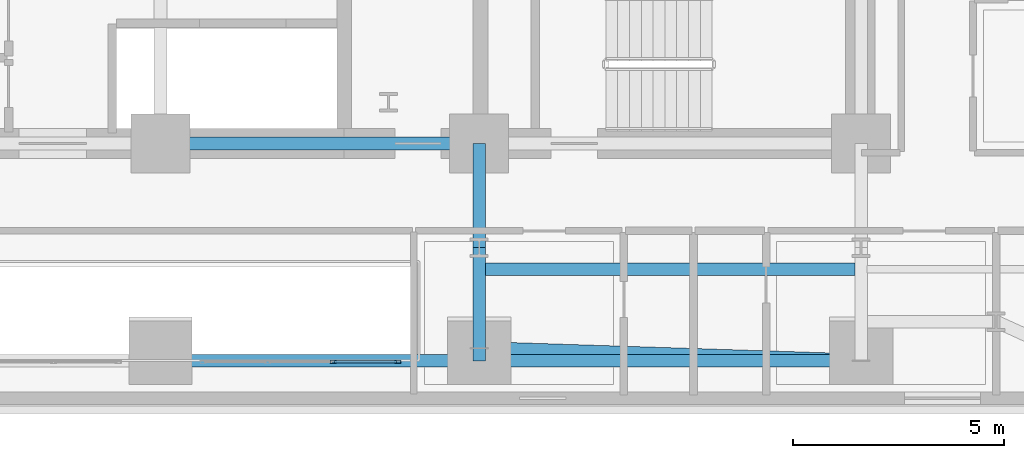
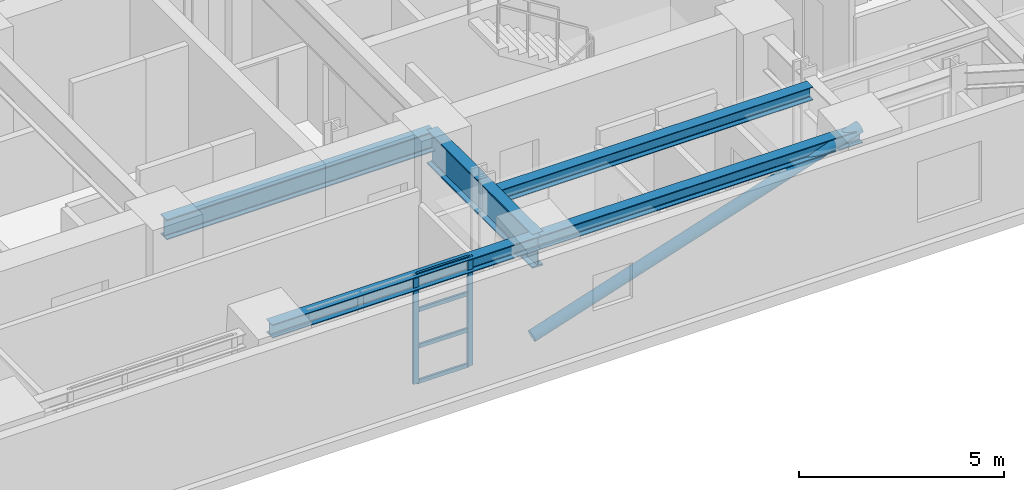
# One storey, part 4 of 15: 7 members, 6 beams, 1 element without a shape of its own.
"""IFC4 building model written with IfcOpenShell, lengths in metres."""

from ifc_helpers import new_model, si_unit, direction, frame, origin, origin_2d, place, context, subcontext, project, spatial, hollow_rectangle, hollow_circle, i_section, extrude, material, layer, layer_set, material_profile, profile_set, type_object, element, aggregate, save


model = new_model("IFC4")

# Units and contexts
model_context = context("Model", 3, precision=1e-05, world=origin(), true_north=direction((0.0, 1.0)))
body_context = subcontext(model_context, "Body", "Model", "MODEL_VIEW")
ifc_project = project(units=[si_unit("LENGTHUNIT", "METRE"), si_unit("AREAUNIT", "SQUARE_METRE"), si_unit("VOLUMEUNIT", "CUBIC_METRE"), si_unit("PLANEANGLEUNIT", "RADIAN"), si_unit("MASSUNIT", "GRAM", prefix="KILO")], contexts=[model_context])

# Site, building, storey
site_placement = place(None, origin())
site = spatial("IfcSite", under=ifc_project, at=site_placement, CompositionType="ELEMENT")
building_placement = place(site_placement, origin())
building = spatial("IfcBuilding", under=site, at=building_placement, Name="Zarnavel Station Tower", CompositionType="ELEMENT")
storey_placement = place(building_placement, frame((0.0, 0.0, 36.0)))
storey = spatial("IfcBuildingStorey", under=building, at=storey_placement, Name="L09", CompositionType="ELEMENT", Elevation=36.0)

# Curtain wall, members
ifc_material_1 = material(Name="Aluminium Dark Anodised and Solar-Control Glass", Category="aluminium")
ifc_layer = layer(ifc_material_1, 0.179931640625)
ifc_layer_set = layer_set([ifc_layer], Name="CWS2")
curtain_wall_type = type_object("IfcCurtainWallType", Name="CWS2", PredefinedType="NOTDEFINED", material=ifc_layer_set)
curtain_wall_placement = place(storey_placement, origin())
curtain_wall = element("IfcCurtainWall", 1, at=curtain_wall_placement, inside=storey, type_object=curtain_wall_type, Name="L09 Curtain Wall CWS2-L09-AS-S2", PredefinedType="NOTDEFINED")
ifc_material_2 = material(Name="Steel S355J2 (Black Fluoropolymer Coated)", Category="steel")
ifc_material_profile_1 = material_profile(ifc_material_2, hollow_rectangle(XDim=0.074951171875, YDim=0.14990234375, WallThickness=0.00634765625, at=origin_2d()), Name="RHS150x75x6.3")
ifc_profile_set_1 = profile_set([ifc_material_profile_1], Name="Steel S355J2 (Black Fluoropolymer Coated)")
member_type_1 = type_object("IfcMemberType", Name="CWS2_MUL", PredefinedType="MULLION", material=ifc_profile_set_1)
member_1_placement = place(storey_placement, frame((32.893310546875, 22.64990234375, 0.0), z_axis=(0.0, 0.0, 1.0), x_axis=(0.0, 1.0, 0.0)))
member_1 = element("IfcMember", 2, at=member_1_placement, type_object=member_type_1, Name="CW2 mullion 3", PredefinedType="MULLION", context=body_context, shape_type="SweptSolid", body=[
    extrude(hollow_rectangle(XDim=0.074951171875, YDim=0.14990234375, WallThickness=0.00634765625, at=origin_2d()), origin(), (0.0, 0.0, 1.0), 3.239990234375),
])
member_2_placement = place(storey_placement, frame((34.419921875, 22.64990234375, 0.0), z_axis=(0.0, 0.0, 1.0), x_axis=(0.0, 1.0, 0.0)))
member_2 = element("IfcMember", 3, at=member_2_placement, type_object=member_type_1, Name="CW2 mullion 4", PredefinedType="MULLION", context=body_context, shape_type="SweptSolid", body=[
    extrude(hollow_rectangle(XDim=0.074951171875, YDim=0.14990234375, WallThickness=0.00634765625, at=origin_2d()), origin(), (0.0, 0.0, 1.0), 3.239990234375),
])
ifc_material_3 = material(Name="Steel S355J2 (Black Fluoropolymer Coated)", Category="steel")
ifc_material_profile_2 = material_profile(ifc_material_3, hollow_rectangle(XDim=0.06005859375, YDim=0.1201171875, WallThickness=0.0048828125, at=origin_2d()), Name="RHS120x60x5")
ifc_profile_set_2 = profile_set([ifc_material_profile_2], Name="Steel S355J2 (Black Fluoropolymer Coated)")
member_type_2 = type_object("IfcMemberType", Name="CWS2_TRN", PredefinedType="USERDEFINED", material=ifc_profile_set_2)
member_3_placement = place(storey_placement, frame((32.92333984375, 22.64990234375, 0.030029296875), z_axis=(1.0, 0.0, 0.0), x_axis=(0.0, 1.0, 0.0)))
member_3 = element("IfcMember", 4, at=member_3_placement, type_object=member_type_2, Name="CW2 transom 3.1", ObjectType="TRANSOM", PredefinedType="USERDEFINED", context=body_context, shape_type="SweptSolid", body=[
    extrude(hollow_rectangle(XDim=0.06005859375, YDim=0.1201171875, WallThickness=0.0048828125, at=origin_2d()), origin(), (0.0, 0.0, 1.0), 1.466552734375),
])
member_4_placement = place(storey_placement, frame((32.92333984375, 22.64990234375, 1.080078125), z_axis=(1.0, 0.0, 0.0), x_axis=(0.0, 1.0, 0.0)))
member_4 = element("IfcMember", 5, at=member_4_placement, type_object=member_type_2, Name="CW2 transom 3.2", ObjectType="TRANSOM", PredefinedType="USERDEFINED", context=body_context, shape_type="SweptSolid", body=[
    extrude(hollow_rectangle(XDim=0.06005859375, YDim=0.1201171875, WallThickness=0.0048828125, at=origin_2d()), origin(), (0.0, 0.0, 1.0), 1.466552734375),
])
member_5_placement = place(storey_placement, frame((32.92333984375, 22.64990234375, 2.159912109375), z_axis=(1.0, 0.0, 0.0), x_axis=(0.0, 1.0, 0.0)))
member_5 = element("IfcMember", 6, at=member_5_placement, type_object=member_type_2, Name="CW2 transom 3.3", ObjectType="TRANSOM", PredefinedType="USERDEFINED", context=body_context, shape_type="SweptSolid", body=[
    extrude(hollow_rectangle(XDim=0.06005859375, YDim=0.1201171875, WallThickness=0.0048828125, at=origin_2d()), origin(), (0.0, 0.0, 1.0), 1.466552734375),
])
member_6_placement = place(storey_placement, frame((32.92333984375, 22.64990234375, 3.2099609375), z_axis=(1.0, 0.0, 0.0), x_axis=(0.0, 1.0, 0.0)))
member_6 = element("IfcMember", 7, at=member_6_placement, type_object=member_type_2, Name="CW2 transom 3.4", ObjectType="TRANSOM", PredefinedType="USERDEFINED", context=body_context, shape_type="SweptSolid", body=[
    extrude(hollow_rectangle(XDim=0.06005859375, YDim=0.1201171875, WallThickness=0.0048828125, at=origin_2d()), origin(), (0.0, 0.0, 1.0), 1.466552734375),
])
aggregate(curtain_wall, [member_1, member_2, member_3, member_4, member_5, member_6])

# Member
ifc_material_4 = material(Name="Steel S355J2", Category="steel")
ifc_material_profile_3 = material_profile(ifc_material_4, hollow_circle(Radius=0.161865234375, WallThickness=0.012451171875, at=origin_2d()), Name="CHS323.9x12.5")
ifc_profile_set_3 = profile_set([ifc_material_profile_3], Name="Steel S355J2")
member_type_3 = type_object("IfcMemberType", Name="DB_EXT_CHS324", PredefinedType="BRACE", material=ifc_profile_set_3)
member_7_placement = place(storey_placement, frame((36.35009765625, 22.9658203125, 0.0), z_axis=(0.94104157458, -0.030540439576, 0.336909537505), x_axis=(0.032436790978, 0.999473788846, 0.0)))
element("IfcMember", 8, at=member_7_placement, inside=storey, type_object=member_type_3, Name="L09 Persian Exterior Diagonal Frame Brace 2", PredefinedType="BRACE", context=body_context, shape_type="SweptSolid", body=[
    extrude(hollow_circle(Radius=0.161865234375, WallThickness=0.012451171875, at=origin_2d()), origin(), (0.0, 0.0, 1.0), 9.61669921875),
])

# Beams
ifc_material_5 = material(Name="Steel S355J2", Category="steel")
ifc_material_profile_4 = material_profile(ifc_material_5, i_section(OverallWidth=0.300048828125, OverallDepth=0.39990234375, WebThickness=0.013427734375, FlangeThickness=0.02392578125, FilletRadius=0.027099609375, at=origin_2d()), Name="HEB400")
ifc_profile_set_4 = profile_set([ifc_material_profile_4], Name="Steel S355J2")
beam_type_1 = type_object("IfcBeamType", Name="EB_HEB400", PredefinedType="SPANDREL", material=ifc_profile_set_4)
beam_1_placement = place(storey_placement, frame((28.800048828125, 22.672119140625, 3.0400390625), z_axis=(1.0, 0.0, 0.0), x_axis=(0.0, 1.0, 0.0)))
element("IfcBeam", 9, at=beam_1_placement, inside=storey, type_object=beam_type_1, Name="L09 South Raked Spandrel 3", PredefinedType="SPANDREL", context=body_context, shape_type="SweptSolid", body=[
    extrude(i_section(OverallWidth=0.300048828125, OverallDepth=0.39990234375, WebThickness=0.013427734375, FlangeThickness=0.02392578125, FilletRadius=0.027099609375, at=origin_2d()), origin(), (0.0, 0.0, 1.0), 7.550048828125),
])
beam_2_placement = place(storey_placement, frame((36.35009765625, 22.672119140625, 3.0400390625), z_axis=(1.0, 0.0, 0.0), x_axis=(0.0, 1.0, 0.0)))
element("IfcBeam", 10, at=beam_2_placement, inside=storey, type_object=beam_type_1, Name="L09 South Raked Spandrel 4", PredefinedType="SPANDREL", context=body_context, shape_type="SweptSolid", body=[
    extrude(i_section(OverallWidth=0.300048828125, OverallDepth=0.39990234375, WebThickness=0.013427734375, FlangeThickness=0.02392578125, FilletRadius=0.027099609375, at=origin_2d()), origin(), (0.0, 0.0, 1.0), 9.0498046875),
])
ifc_material_6 = material(Name="Steel S355J2", Category="steel")
ifc_material_profile_5 = material_profile(ifc_material_6, i_section(OverallWidth=0.300048828125, OverallDepth=0.389892578125, WebThickness=0.010986328125, FlangeThickness=0.01904296875, FilletRadius=0.027099609375, at=origin_2d()), Name="HEA400")
ifc_profile_set_5 = profile_set([ifc_material_profile_5], Name="Steel S355J2")
beam_type_2 = type_object("IfcBeamType", Name="FB_HEA400", PredefinedType="BEAM", material=ifc_profile_set_5)
beam_3_placement = place(storey_placement, frame((36.4951171875, 24.8408203125, 3.044921875), z_axis=(1.0, 0.0, 0.0), x_axis=(0.0, 1.0, 0.0)))
element("IfcBeam", 11, at=beam_3_placement, inside=storey, type_object=beam_type_2, Name="L09 East Bay Beam 2", PredefinedType="BEAM", context=body_context, shape_type="SweptSolid", body=[
    extrude(i_section(OverallWidth=0.300048828125, OverallDepth=0.389892578125, WebThickness=0.010986328125, FlangeThickness=0.01904296875, FilletRadius=0.027099609375, at=origin_2d()), origin(), (0.0, 0.0, 1.0), 8.759765625),
])
ifc_material_7 = material(Name="Steel S355J2", Category="steel")
ifc_material_profile_6 = material_profile(ifc_material_7, i_section(OverallWidth=0.300048828125, OverallDepth=0.60009765625, WebThickness=0.015380859375, FlangeThickness=0.030029296875, FilletRadius=0.027099609375, at=origin_2d()), Name="HEB600")
ifc_profile_set_6 = profile_set([ifc_material_profile_6], Name="Steel S355J2")
beam_type_3 = type_object("IfcBeamType", Name="FG_HEB600", PredefinedType="USERDEFINED", material=ifc_profile_set_6)
beam_4_placement = place(storey_placement, frame((28.800048828125, 27.820068359375, 2.93994140625), z_axis=(1.0, 0.0, 0.0), x_axis=(0.0, 1.0, 0.0)))
element("IfcBeam", 12, at=beam_4_placement, inside=storey, type_object=beam_type_3, Name="L09 Core Front Coupling Beam 3", ObjectType="GIRDER", PredefinedType="USERDEFINED", context=body_context, shape_type="SweptSolid", body=[
    extrude(i_section(OverallWidth=0.300048828125, OverallDepth=0.60009765625, WebThickness=0.015380859375, FlangeThickness=0.030029296875, FilletRadius=0.027099609375, at=origin_2d()), origin(), (0.0, 0.0, 1.0), 7.550048828125),
])
ifc_material_8 = material(Name="Steel S460M", Category="steel")
ifc_material_profile_7 = material_profile(ifc_material_8, i_section(OverallWidth=0.302001953125, OverallDepth=1.008056640625, WebThickness=0.02099609375, FlangeThickness=0.0400390625, FilletRadius=0.030029296875, at=origin_2d()), Name="HEM1000")
ifc_profile_set_7 = profile_set([ifc_material_profile_7], Name="Steel S460M")
beam_type_4 = type_object("IfcBeamType", Name="TG_HEM1000", PredefinedType="USERDEFINED", material=ifc_profile_set_7)
beam_5_placement = place(storey_placement, frame((36.35009765625, 22.672119140625, 2.736083984375), z_axis=(0.0, 1.0, 0.0), x_axis=(-1.0, 0.0, 0.0)))
element("IfcBeam", 13, at=beam_5_placement, inside=storey, type_object=beam_type_4, Name="L09 South-Zone NS Girder 4", ObjectType="GIRDER", PredefinedType="USERDEFINED", context=body_context, shape_type="SweptSolid", body=[
    extrude(i_section(OverallWidth=0.302001953125, OverallDepth=1.008056640625, WebThickness=0.02099609375, FlangeThickness=0.0400390625, FilletRadius=0.030029296875, at=origin_2d()), origin(), (0.0, 0.0, 1.0), 2.677978515625),
])
beam_6_placement = place(storey_placement, frame((36.35009765625, 25.35009765625, 2.736083984375), z_axis=(0.0, 1.0, 0.0), x_axis=(-1.0, 0.0, 0.0)))
element("IfcBeam", 14, at=beam_6_placement, inside=storey, type_object=beam_type_4, Name="L09 Inner-Zone NS Girder 4", ObjectType="GIRDER", PredefinedType="USERDEFINED", context=body_context, shape_type="SweptSolid", body=[
    extrude(i_section(OverallWidth=0.302001953125, OverallDepth=1.008056640625, WebThickness=0.02099609375, FlangeThickness=0.0400390625, FilletRadius=0.030029296875, at=origin_2d()), origin(), (0.0, 0.0, 1.0), 2.469970703125),
])

save(model, "model.ifc")
